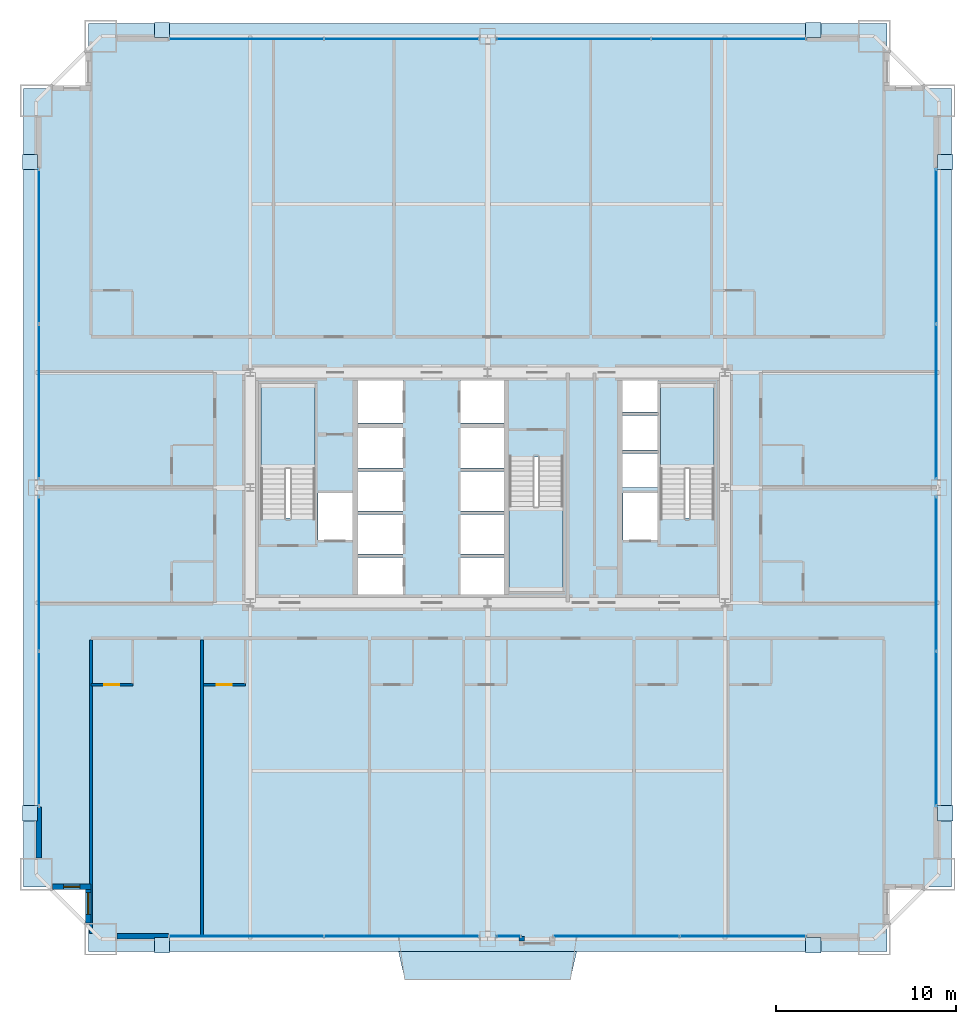
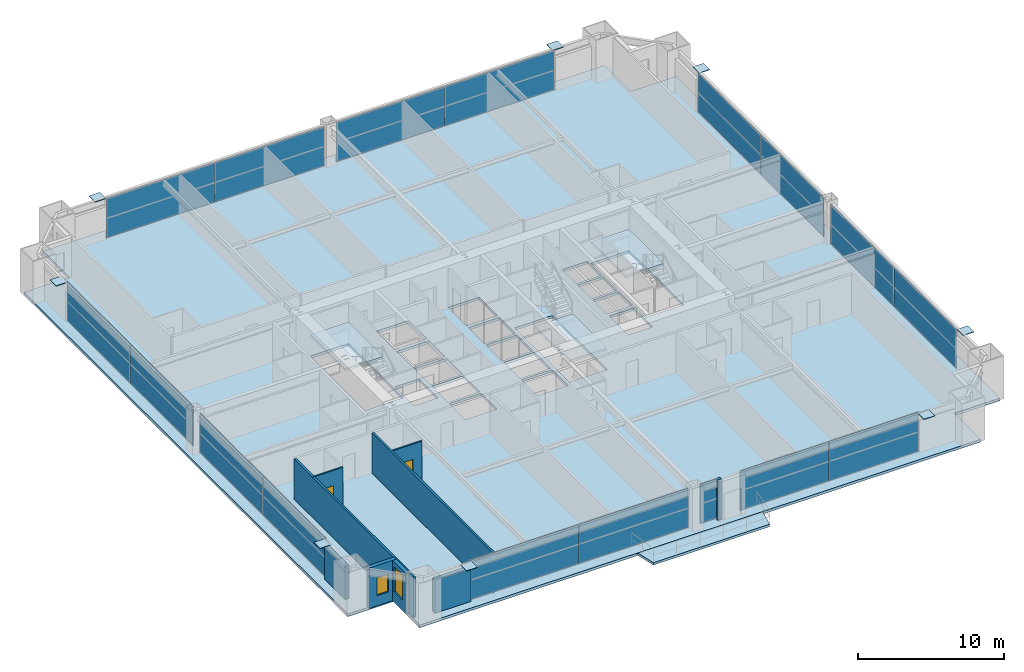
# One storey, part 38 of 43: 25 plates, 9 walls, 5 slabs, 2 doors, 2 windows, 4 openings, 12 elements without a shape of their own.
"""IFC4 building model written with IfcOpenShell, lengths in metres."""

from ifc_helpers import new_model, si_unit, direction, frame, frame_2d, origin, origin_2d, place, context, subcontext, project, spatial, polyline, rectangle, outline, extrude, source, transform, mapped, material, layer, layer_set, type_object, element, fill, aggregate, save


model = new_model("IFC4")

# Units and contexts
model_context = context("Model", 3, precision=1e-05, world=origin(), true_north=direction((0.0, 1.0)))
body_context = subcontext(model_context, "Body", "Model", "MODEL_VIEW")
ifc_project = project(units=[si_unit("LENGTHUNIT", "METRE"), si_unit("AREAUNIT", "SQUARE_METRE"), si_unit("VOLUMEUNIT", "CUBIC_METRE"), si_unit("PLANEANGLEUNIT", "RADIAN"), si_unit("MASSUNIT", "GRAM", prefix="KILO"), si_unit("THERMODYNAMICTEMPERATUREUNIT", "KELVIN"), si_unit("POWERUNIT", "WATT")], contexts=[model_context])

# Site, building, storey
site_placement = place(None, origin())
site = spatial("IfcSite", under=ifc_project, at=site_placement, CompositionType="ELEMENT")
building_placement = place(site_placement, origin())
building = spatial("IfcBuilding", under=site, at=building_placement, Name="Yuzanri Waterfront Tower", CompositionType="ELEMENT")
storey_placement = place(building_placement, frame((0.0, 0.0, 64.0)))
storey = spatial("IfcBuildingStorey", under=building, at=storey_placement, Name="L16", CompositionType="ELEMENT", Elevation=64.0)

# Slab
ifc_material_1 = material(Name="Concrete C40", Category="concrete")
ifc_layer_1 = layer(ifc_material_1, 0.199951171875)
ifc_layer_set_1 = layer_set([ifc_layer_1], Name="Concrete C40")
slab_type_1 = type_object("IfcSlabType", Name="Concrete C40 Cantilevered Engawa Wave Terrace Slab 200", PredefinedType="FLOOR", material=ifc_layer_set_1)
slab_1_placement = place(storey_placement, frame((0.0, 0.0, -0.199951171875)))
element("IfcSlab", 1, at=slab_1_placement, inside=storey, type_object=slab_type_1, Name="L16 S Cantilevered Engawa Terrace Slab", PredefinedType="FLOOR", context=body_context, shape_type="SweptSolid", body=[
    extrude(outline(polyline([(32.049072265625, 0.0), (41.950927734375, 0.0), (41.60107421875, -1.553955078125), (32.39892578125, -1.553955078125), (32.049072265625, 0.0)])), origin(), (0.0, 0.0, 1.0), 0.199951171875),
])

# Stair, slab
ifc_material_2 = material(Name="Concrete C40", Category="concrete")
stair_type = type_object("IfcStairType", Name="Concrete C40 Core Dogleg Exit Stair", PredefinedType="HALF_TURN_STAIR", material=ifc_material_2)
stair_1_placement = place(storey_placement, origin())
stair_1 = element("IfcStair", 2, at=stair_1_placement, inside=storey, type_object=stair_type, Name="L16 Smoke-Proof Core Stair ST-01", PredefinedType="HALF_TURN_STAIR")
ifc_material_3 = material(Name="Concrete C40", Category="concrete")
ifc_layer_2 = layer(ifc_material_3, 0.179931640625)
ifc_layer_set_2 = layer_set([ifc_layer_2], Name="Concrete C40")
slab_type_2 = type_object("IfcSlabType", Name="Concrete C40 Stair Half-Landing Slab 180", PredefinedType="LANDING", material=ifc_layer_set_2)
slab_2_placement = place(storey_placement, frame((0.0, 0.0, 1.60009765625)))
slab_2 = element("IfcSlab", 3, at=slab_2_placement, type_object=slab_type_2, Name="ST-01 landing 1", PredefinedType="LANDING", context=body_context, shape_type="SweptSolid", body=[
    extrude(outline(polyline([(27.39990234375, 26.840087890625), (27.39990234375, 31.580078125), (24.39990234375, 31.580078125), (24.39990234375, 26.840087890625), (27.39990234375, 26.840087890625)])), origin(), (0.0, 0.0, 1.0), 0.199951171875),
])
aggregate(stair_1, [slab_2])

stair_2_placement = place(storey_placement, origin())
stair_2 = element("IfcStair", 4, at=stair_2_placement, inside=storey, type_object=stair_type, Name="L16 Smoke-Proof Core Stair ST-02", PredefinedType="HALF_TURN_STAIR")
slab_3_placement = place(storey_placement, frame((0.0, 0.0, 1.60009765625)))
slab_3 = element("IfcSlab", 5, at=slab_3_placement, type_object=slab_type_2, Name="ST-02 landing 1", PredefinedType="LANDING", context=body_context, shape_type="SweptSolid", body=[
    extrude(outline(polyline([(49.60009765625, 26.840087890625), (49.60009765625, 31.580078125), (46.60009765625, 31.580078125), (46.60009765625, 26.840087890625), (49.60009765625, 26.840087890625)])), origin(), (0.0, 0.0, 1.0), 0.199951171875),
])
aggregate(stair_2, [slab_3])

stair_3_placement = place(storey_placement, origin())
stair_3 = element("IfcStair", 6, at=stair_3_placement, inside=storey, type_object=stair_type, Name="L16 Smoke-Proof Core Stair ST-03", PredefinedType="HALF_TURN_STAIR")
slab_4_placement = place(storey_placement, frame((0.0, 0.0, 1.60009765625)))
slab_4 = element("IfcSlab", 7, at=slab_4_placement, type_object=slab_type_2, Name="ST-03 landing 1", PredefinedType="LANDING", context=body_context, shape_type="SweptSolid", body=[
    extrude(outline(polyline([(38.199951171875, 24.760009765625), (38.199951171875, 20.02001953125), (41.199951171875, 20.02001953125), (41.199951171875, 24.760009765625), (38.199951171875, 24.760009765625)])), origin(), (0.0, 0.0, 1.0), 0.199951171875),
])
aggregate(stair_3, [slab_4])

# Slab
ifc_material_4 = material(Name="Concrete C40", Category="concrete")
ifc_layer_3 = layer(ifc_material_4, 0.219970703125)
ifc_layer_set_3 = layer_set([ifc_layer_3], Name="Concrete C40")
slab_type_3 = type_object("IfcSlabType", Name="Concrete C40 Tower Typical Structural Floor Slab 220", PredefinedType="FLOOR", material=ifc_layer_set_3)
slab_5_placement = place(storey_placement, frame((0.0, 0.0, -0.219970703125)))
element("IfcSlab", 8, at=slab_5_placement, inside=storey, type_object=slab_type_3, Name="L16 Main Structural Floor Slab", PredefinedType="FLOOR", context=body_context, shape_type="SweptSolid", body=[
    extrude(outline(polyline([(14.800048828125, 0.0), (59.199951171875, 0.0), (59.199951171875, 3.60009765625), (62.800048828125, 3.60009765625), (62.800048828125, 48.0), (59.199951171875, 48.0), (59.199951171875, 51.60009765625), (14.800048828125, 51.60009765625), (14.800048828125, 48.0), (11.199951171875, 48.0), (11.199951171875, 3.60009765625), (14.800048828125, 3.60009765625), (14.800048828125, 0.0)]), holes=[polyline([(27.39990234375, 24.10009765625), (27.39990234375, 31.580078125), (24.39990234375, 31.580078125), (24.39990234375, 24.10009765625), (27.39990234375, 24.10009765625)]), polyline([(49.60009765625, 24.10009765625), (49.60009765625, 31.580078125), (46.60009765625, 31.580078125), (46.60009765625, 24.10009765625), (49.60009765625, 24.10009765625)]), polyline([(38.199951171875, 27.5), (38.199951171875, 20.02001953125), (41.199951171875, 20.02001953125), (41.199951171875, 27.5), (38.199951171875, 27.5)]), polyline([(27.56005859375, 22.89990234375), (29.47998046875, 22.89990234375), (29.47998046875, 25.5), (27.56005859375, 25.5), (27.56005859375, 22.89990234375)]), polyline([(44.52001953125, 22.89990234375), (46.43994140625, 22.89990234375), (46.43994140625, 25.5), (44.52001953125, 25.5), (44.52001953125, 22.89990234375)]), polyline([(29.800048828125, 19.699951171875), (32.300048828125, 19.699951171875), (32.300048828125, 21.89990234375), (29.800048828125, 21.89990234375), (29.800048828125, 19.699951171875)]), polyline([(29.800048828125, 22.10009765625), (32.300048828125, 22.10009765625), (32.300048828125, 24.300048828125), (29.800048828125, 24.300048828125), (29.800048828125, 22.10009765625)]), polyline([(29.800048828125, 24.5), (32.300048828125, 24.5), (32.300048828125, 26.699951171875), (29.800048828125, 26.699951171875), (29.800048828125, 24.5)]), polyline([(29.800048828125, 26.89990234375), (32.300048828125, 26.89990234375), (32.300048828125, 29.10009765625), (29.800048828125, 29.10009765625), (29.800048828125, 26.89990234375)]), polyline([(29.800048828125, 29.39990234375), (32.300048828125, 29.39990234375), (32.300048828125, 31.89990234375), (29.800048828125, 31.89990234375), (29.800048828125, 29.39990234375)]), polyline([(35.5, 19.699951171875), (37.89990234375, 19.699951171875), (37.89990234375, 21.89990234375), (35.5, 21.89990234375), (35.5, 19.699951171875)]), polyline([(35.5, 22.10009765625), (37.89990234375, 22.10009765625), (37.89990234375, 24.300048828125), (35.5, 24.300048828125), (35.5, 22.10009765625)]), polyline([(35.5, 24.5), (37.89990234375, 24.5), (37.89990234375, 26.699951171875), (35.5, 26.699951171875), (35.5, 24.5)]), polyline([(35.5, 26.89990234375), (37.89990234375, 26.89990234375), (37.89990234375, 29.10009765625), (35.5, 29.10009765625), (35.5, 26.89990234375)]), polyline([(35.5, 29.39990234375), (37.89990234375, 29.39990234375), (37.89990234375, 31.89990234375), (35.5, 31.89990234375), (35.5, 29.39990234375)]), polyline([(44.5, 25.800048828125), (46.5, 25.800048828125), (46.5, 27.699951171875), (44.5, 27.699951171875), (44.5, 25.800048828125)]), polyline([(44.5, 27.89990234375), (46.5, 27.89990234375), (46.5, 29.800048828125), (44.5, 29.800048828125), (44.5, 27.89990234375)]), polyline([(44.5, 30.0), (46.5, 30.0), (46.5, 31.89990234375), (44.5, 31.89990234375), (44.5, 30.0)])]), origin(), (0.0, 0.0, 1.0), 0.219970703125),
])

# Plates
ifc_material_5 = material(Name="Steel Q420GJC", Category="steel")
ifc_layer_4 = layer(ifc_material_5, 0.0400390625)
ifc_layer_set_4 = layer_set([ifc_layer_4], Name="Steel Q420GJC")
plate_type_1 = type_object("IfcPlateType", Name="Steel Q420GJC Mega-Brace Gusset and End-Cap Plate 40", PredefinedType="SHEET", material=ifc_layer_set_4)
shared_shape_1 = source(origin(), body_context, "Body", "SweptSolid", [
    extrude(rectangle(XDim=0.85009765625, YDim=0.85009765625, at=origin_2d()), origin(), (0.0, 0.0, 1.0), 0.0400390625),
])
for number, where, z_axis, x_axis, name in (
    (9, (18.89990234375, 0.360107421875, 3.260009765625), (0.0, 0.0, 1.0), (1.0, 0.0, 0.0), "L16 Mega-Brace Apex Cap Plate S-L"),
    (10, (55.10009765625, 0.360107421875, 3.260009765625), (0.0, 0.0, 1.0), (1.0, 0.0, 0.0), "L16 Mega-Brace Apex Cap Plate S-R"),
    (11, (18.89990234375, 51.239990234375, 3.260009765625), (0.0, 0.0, 1.0), (1.0, 0.0, 0.0), "L16 Mega-Brace Apex Cap Plate N-L"),
    (12, (55.10009765625, 51.239990234375, 3.260009765625), (0.0, 0.0, 1.0), (1.0, 0.0, 0.0), "L16 Mega-Brace Apex Cap Plate N-R"),
    (13, (11.56005859375, 7.699951171875, 3.260009765625), (0.0, 0.0, 1.0), (1.0, 0.0, 0.0), "L16 Mega-Brace Apex Cap Plate W-L"),
    (14, (11.56005859375, 43.89990234375, 3.260009765625), (0.0, 0.0, 1.0), (1.0, 0.0, 0.0), "L16 Mega-Brace Apex Cap Plate W-R"),
    (15, (62.43994140625, 7.699951171875, 3.260009765625), (0.0, 0.0, 1.0), (1.0, 0.0, 0.0), "L16 Mega-Brace Apex Cap Plate E-L"),
    (16, (62.43994140625, 43.89990234375, 3.260009765625), (0.0, 0.0, 1.0), (1.0, 0.0, 0.0), "L16 Mega-Brace Apex Cap Plate E-R"),
):
    element("IfcPlate", number, at=place(storey_placement, frame(where, z_axis=z_axis, x_axis=x_axis)), inside=storey, type_object=plate_type_1, Name=name, PredefinedType="SHEET", context=body_context, shape_type="MappedRepresentation", body=[
        mapped(shared_shape_1, transform((0.0, 0.0, 0.0), scale=1.0)),
    ])

# Curtain wall, plates
ifc_material_6 = material(Name="Anodized Architectural Bronze", Category="metal")
ifc_layer_5 = layer(ifc_material_6, 0.159912109375)
ifc_layer_set_5 = layer_set([ifc_layer_5], Name="Anodized Architectural Bronze")
curtain_wall_type = type_object("IfcCurtainWallType", Name="Anodized Bronze Hotel Lower-Tier Recessed Unitized Curtain Wall 8100", PredefinedType="NOTDEFINED", material=ifc_layer_set_5)
curtain_wall_1_placement = place(storey_placement, origin())
curtain_wall_1 = element("IfcCurtainWall", 17, at=curtain_wall_1_placement, inside=storey, type_object=curtain_wall_type, Name="L16 Curtain Wall CW-L16-SL", PredefinedType="NOTDEFINED")
ifc_material_7 = material(Name="Double-Silver Low-E Insulated Glass", Category="glass")
ifc_layer_6 = layer(ifc_material_7, 0.035888671875)
ifc_layer_set_6 = layer_set([ifc_layer_6], Name="Double-Silver Low-E Insulated Glass")
plate_type_2 = type_object("IfcPlateType", Name="Double Silver Low-E Insulated Vision Glass Panel 36", PredefinedType="CURTAIN_PANEL", material=ifc_layer_set_6)
shared_shape_2 = source(origin(), body_context, "Body", "SweptSolid", [
    extrude(rectangle(XDim=8.570068359375, YDim=0.035888671875, at=origin_2d()), origin(), (0.0, 0.0, 1.0), 3.280029296875),
])
plate_1_placement = place(storey_placement, frame((23.574951171875, 0.85009765625, 0.0498046875), z_axis=(0.0, 0.0, 1.0), x_axis=(1.0, 0.0, 0.0)))
plate_1 = element("IfcPlate", 18, at=plate_1_placement, type_object=plate_type_2, Name="CW-L16-SL Vision Glass Panel 01", PredefinedType="CURTAIN_PANEL", context=body_context, shape_type="MappedRepresentation", body=[
    mapped(shared_shape_2, transform((0.0, 0.0, 0.0), scale=1.0)),
])
plate_2_placement = place(storey_placement, frame((32.22509765625, 0.85009765625, 0.0498046875), z_axis=(0.0, 0.0, 1.0), x_axis=(1.0, 0.0, 0.0)))
plate_2 = element("IfcPlate", 19, at=plate_2_placement, type_object=plate_type_2, Name="CW-L16-SL Vision Glass Panel 02", PredefinedType="CURTAIN_PANEL", context=body_context, shape_type="MappedRepresentation", body=[
    mapped(shared_shape_2, transform((0.0, 0.0, 0.0), scale=1.0)),
])
aggregate(curtain_wall_1, [plate_1, plate_2])

curtain_wall_2_placement = place(storey_placement, origin())
curtain_wall_2 = element("IfcCurtainWall", 20, at=curtain_wall_2_placement, inside=storey, type_object=curtain_wall_type, Name="L16 Curtain Wall CW-L16-NL", PredefinedType="NOTDEFINED")
plate_3_placement = place(storey_placement, frame((23.574951171875, 50.75, 0.0498046875), z_axis=(0.0, 0.0, 1.0), x_axis=(1.0, 0.0, 0.0)))
plate_3 = element("IfcPlate", 21, at=plate_3_placement, type_object=plate_type_2, Name="CW-L16-NL Vision Glass Panel 01", PredefinedType="CURTAIN_PANEL", context=body_context, shape_type="MappedRepresentation", body=[
    mapped(shared_shape_2, transform((0.0, 0.0, 0.0), scale=1.0)),
])
plate_4_placement = place(storey_placement, frame((32.22509765625, 50.75, 0.0498046875), z_axis=(0.0, 0.0, 1.0), x_axis=(1.0, 0.0, 0.0)))
plate_4 = element("IfcPlate", 22, at=plate_4_placement, type_object=plate_type_2, Name="CW-L16-NL Vision Glass Panel 02", PredefinedType="CURTAIN_PANEL", context=body_context, shape_type="MappedRepresentation", body=[
    mapped(shared_shape_2, transform((0.0, 0.0, 0.0), scale=1.0)),
])
aggregate(curtain_wall_2, [plate_3, plate_4])

curtain_wall_3_placement = place(storey_placement, origin())
curtain_wall_3 = element("IfcCurtainWall", 23, at=curtain_wall_3_placement, inside=storey, type_object=curtain_wall_type, Name="L16 Curtain Wall CW-L16-NR", PredefinedType="NOTDEFINED")
plate_5_placement = place(storey_placement, frame((41.77490234375, 50.75, 0.0498046875), z_axis=(0.0, 0.0, 1.0), x_axis=(1.0, 0.0, 0.0)))
plate_5 = element("IfcPlate", 24, at=plate_5_placement, type_object=plate_type_2, Name="CW-L16-NR Vision Glass Panel 01", PredefinedType="CURTAIN_PANEL", context=body_context, shape_type="MappedRepresentation", body=[
    mapped(shared_shape_2, transform((0.0, 0.0, 0.0), scale=1.0)),
])
plate_6_placement = place(storey_placement, frame((50.425048828125, 50.75, 0.0498046875), z_axis=(0.0, 0.0, 1.0), x_axis=(1.0, 0.0, 0.0)))
plate_6 = element("IfcPlate", 25, at=plate_6_placement, type_object=plate_type_2, Name="CW-L16-NR Vision Glass Panel 02", PredefinedType="CURTAIN_PANEL", context=body_context, shape_type="MappedRepresentation", body=[
    mapped(shared_shape_2, transform((0.0, 0.0, 0.0), scale=1.0)),
])
aggregate(curtain_wall_3, [plate_5, plate_6])

curtain_wall_4_placement = place(storey_placement, origin())
curtain_wall_4 = element("IfcCurtainWall", 26, at=curtain_wall_4_placement, inside=storey, type_object=curtain_wall_type, Name="L16 Curtain Wall CW-L16-WL", PredefinedType="NOTDEFINED")
plate_7_placement = place(storey_placement, frame((12.050048828125, 12.375, 0.0498046875), z_axis=(0.0, 0.0, 1.0), x_axis=(0.0, 1.0, 0.0)))
plate_7 = element("IfcPlate", 27, at=plate_7_placement, type_object=plate_type_2, Name="CW-L16-WL Vision Glass Panel 01", PredefinedType="CURTAIN_PANEL", context=body_context, shape_type="MappedRepresentation", body=[
    mapped(shared_shape_2, transform((0.0, 0.0, 0.0), scale=1.0)),
])
plate_8_placement = place(storey_placement, frame((12.050048828125, 21.02490234375, 0.0498046875), z_axis=(0.0, 0.0, 1.0), x_axis=(0.0, 1.0, 0.0)))
plate_8 = element("IfcPlate", 28, at=plate_8_placement, type_object=plate_type_2, Name="CW-L16-WL Vision Glass Panel 02", PredefinedType="CURTAIN_PANEL", context=body_context, shape_type="MappedRepresentation", body=[
    mapped(shared_shape_2, transform((0.0, 0.0, 0.0), scale=1.0)),
])
aggregate(curtain_wall_4, [plate_7, plate_8])

curtain_wall_5_placement = place(storey_placement, origin())
curtain_wall_5 = element("IfcCurtainWall", 29, at=curtain_wall_5_placement, inside=storey, type_object=curtain_wall_type, Name="L16 Curtain Wall CW-L16-WR", PredefinedType="NOTDEFINED")
plate_9_placement = place(storey_placement, frame((12.050048828125, 30.574951171875, 0.0498046875), z_axis=(0.0, 0.0, 1.0), x_axis=(0.0, 1.0, 0.0)))
plate_9 = element("IfcPlate", 30, at=plate_9_placement, type_object=plate_type_2, Name="CW-L16-WR Vision Glass Panel 01", PredefinedType="CURTAIN_PANEL", context=body_context, shape_type="MappedRepresentation", body=[
    mapped(shared_shape_2, transform((0.0, 0.0, 0.0), scale=1.0)),
])
plate_10_placement = place(storey_placement, frame((12.050048828125, 39.22509765625, 0.0498046875), z_axis=(0.0, 0.0, 1.0), x_axis=(0.0, 1.0, 0.0)))
plate_10 = element("IfcPlate", 31, at=plate_10_placement, type_object=plate_type_2, Name="CW-L16-WR Vision Glass Panel 02", PredefinedType="CURTAIN_PANEL", context=body_context, shape_type="MappedRepresentation", body=[
    mapped(shared_shape_2, transform((0.0, 0.0, 0.0), scale=1.0)),
])
aggregate(curtain_wall_5, [plate_9, plate_10])

curtain_wall_6_placement = place(storey_placement, origin())
curtain_wall_6 = element("IfcCurtainWall", 32, at=curtain_wall_6_placement, inside=storey, type_object=curtain_wall_type, Name="L16 Curtain Wall CW-L16-EL", PredefinedType="NOTDEFINED")
plate_11_placement = place(storey_placement, frame((61.949951171875, 12.375, 0.0498046875), z_axis=(0.0, 0.0, 1.0), x_axis=(0.0, 1.0, 0.0)))
plate_11 = element("IfcPlate", 33, at=plate_11_placement, type_object=plate_type_2, Name="CW-L16-EL Vision Glass Panel 01", PredefinedType="CURTAIN_PANEL", context=body_context, shape_type="MappedRepresentation", body=[
    mapped(shared_shape_2, transform((0.0, 0.0, 0.0), scale=1.0)),
])
plate_12_placement = place(storey_placement, frame((61.949951171875, 21.02490234375, 0.0498046875), z_axis=(0.0, 0.0, 1.0), x_axis=(0.0, 1.0, 0.0)))
plate_12 = element("IfcPlate", 34, at=plate_12_placement, type_object=plate_type_2, Name="CW-L16-EL Vision Glass Panel 02", PredefinedType="CURTAIN_PANEL", context=body_context, shape_type="MappedRepresentation", body=[
    mapped(shared_shape_2, transform((0.0, 0.0, 0.0), scale=1.0)),
])
aggregate(curtain_wall_6, [plate_11, plate_12])

curtain_wall_7_placement = place(storey_placement, origin())
curtain_wall_7 = element("IfcCurtainWall", 35, at=curtain_wall_7_placement, inside=storey, type_object=curtain_wall_type, Name="L16 Curtain Wall CW-L16-ER", PredefinedType="NOTDEFINED")
plate_13_placement = place(storey_placement, frame((61.949951171875, 30.574951171875, 0.0498046875), z_axis=(0.0, 0.0, 1.0), x_axis=(0.0, 1.0, 0.0)))
plate_13 = element("IfcPlate", 36, at=plate_13_placement, type_object=plate_type_2, Name="CW-L16-ER Vision Glass Panel 01", PredefinedType="CURTAIN_PANEL", context=body_context, shape_type="MappedRepresentation", body=[
    mapped(shared_shape_2, transform((0.0, 0.0, 0.0), scale=1.0)),
])
plate_14_placement = place(storey_placement, frame((61.949951171875, 39.22509765625, 0.0498046875), z_axis=(0.0, 0.0, 1.0), x_axis=(0.0, 1.0, 0.0)))
plate_14 = element("IfcPlate", 37, at=plate_14_placement, type_object=plate_type_2, Name="CW-L16-ER Vision Glass Panel 02", PredefinedType="CURTAIN_PANEL", context=body_context, shape_type="MappedRepresentation", body=[
    mapped(shared_shape_2, transform((0.0, 0.0, 0.0), scale=1.0)),
])
aggregate(curtain_wall_7, [plate_13, plate_14])

# Curtain wall, plate
curtain_wall_8_placement = place(storey_placement, origin())
curtain_wall_8 = element("IfcCurtainWall", 38, at=curtain_wall_8_placement, inside=storey, type_object=curtain_wall_type, Name="L16 Curtain Wall CW-L16-SR1", PredefinedType="NOTDEFINED")
shared_shape_3 = source(origin(), body_context, "Body", "SweptSolid", [
    extrude(rectangle(XDim=1.37109375, YDim=0.035888671875, at=origin_2d()), origin(), (0.0, 0.0, 1.0), 3.280029296875),
])
plate_15_placement = place(storey_placement, frame((38.175537109375, 0.85009765625, 0.0498046875), z_axis=(0.0, 0.0, 1.0), x_axis=(1.0, 0.0, 0.0)))
plate_15 = element("IfcPlate", 39, at=plate_15_placement, type_object=plate_type_2, Name="CW-L16-SR1 Vision Glass Panel 01", PredefinedType="CURTAIN_PANEL", context=body_context, shape_type="MappedRepresentation", body=[
    mapped(shared_shape_3, transform((0.0, 0.0, 0.0), scale=1.0)),
])
aggregate(curtain_wall_8, [plate_15])

# Curtain wall, plates
curtain_wall_9_placement = place(storey_placement, origin())
curtain_wall_9 = element("IfcCurtainWall", 40, at=curtain_wall_9_placement, inside=storey, type_object=curtain_wall_type, Name="L16 Curtain Wall CW-L16-SR2", PredefinedType="NOTDEFINED")
shared_shape_4 = source(origin(), body_context, "Body", "SweptSolid", [
    extrude(rectangle(XDim=6.994384765625, YDim=0.035888671875, at=origin_2d()), origin(), (0.0, 0.0, 1.0), 3.280029296875),
])
plate_16_placement = place(storey_placement, frame((44.13818359375, 0.85009765625, 0.0498046875), z_axis=(0.0, 0.0, 1.0), x_axis=(1.0, 0.0, 0.0)))
plate_16 = element("IfcPlate", 41, at=plate_16_placement, type_object=plate_type_2, Name="CW-L16-SR2 Vision Glass Panel 01", PredefinedType="CURTAIN_PANEL", context=body_context, shape_type="MappedRepresentation", body=[
    mapped(shared_shape_4, transform((0.0, 0.0, 0.0), scale=1.0)),
])
plate_17_placement = place(storey_placement, frame((51.212646484375, 0.85009765625, 0.0498046875), z_axis=(0.0, 0.0, 1.0), x_axis=(1.0, 0.0, 0.0)))
plate_17 = element("IfcPlate", 42, at=plate_17_placement, type_object=plate_type_2, Name="CW-L16-SR2 Vision Glass Panel 02", PredefinedType="CURTAIN_PANEL", context=body_context, shape_type="MappedRepresentation", body=[
    mapped(shared_shape_4, transform((0.0, 0.0, 0.0), scale=1.0)),
])
aggregate(curtain_wall_9, [plate_16, plate_17])

# Wall, opening, door
ifc_material_8 = material(Name="Moisture-Resistant Gypsum Stud Wall", Category="gypsum")
ifc_layer_7 = layer(ifc_material_8, 0.1201171875)
ifc_layer_set_7 = layer_set([ifc_layer_7], Name="Moisture-Resistant Gypsum Stud Wall")
wall_type_1 = type_object("IfcWallType", Name="Bathroom and Kitchen Wet Partition 120", PredefinedType="PARTITIONING", material=ifc_layer_set_7)
wall_1_placement = place(storey_placement, frame((14.93994140625, 14.840087890625, 0.0), z_axis=(0.0, 0.0, 1.0), x_axis=(1.0, 0.0, 0.0)))
wall_1 = element("IfcWall", 43, at=wall_1_placement, inside=storey, type_object=wall_type_1, Name="L16 Partition UW-L16-S1-BS", PredefinedType="PARTITIONING", context=body_context, shape_type="SweptSolid", body=[
    extrude(rectangle(XDim=2.330078125, YDim=0.1201171875, at=frame_2d((1.1650390625, 0.0))), origin(), (0.0, 0.0, 1.0), 3.3798828125),
])
opening_1_placement = place(wall_1_placement, frame((0.739990234375, 0.0, 0.0)))
opening_1 = element("IfcOpeningElement", 44, at=opening_1_placement, cuts=wall_1, Name="Opening ID-0850", PredefinedType="OPENING", context=body_context, shape_type="SweptSolid", body=[
    extrude(rectangle(XDim=0.85009765625, YDim=2.10009765625, at=frame_2d((0.425048828125, 1.050048828125))), frame((0.0, 0.074951171875, 0.0), z_axis=(0.0, -1.0, 0.0), x_axis=(1.0, 0.0, 0.0)), (0.0, 0.0, 1.0), 0.14990234375),
])
ifc_material_9 = material(Name="Moisture-Resistant Lacquered Timber", Category="wood")
door_type = type_object("IfcDoorType", Name="En-Suite Bathroom and Kitchen Swing Door 850x2100", OperationType="NOTDEFINED", PredefinedType="DOOR", material=ifc_material_9)
shared_shape_5 = source(origin(), body_context, "Body", "SweptSolid", [
    extrude(rectangle(XDim=0.85009765625, YDim=2.10009765625, at=frame_2d((0.425048828125, 1.050048828125))), frame((0.0, 0.02490234375, 0.0), z_axis=(0.0, -1.0, 0.0), x_axis=(1.0, 0.0, 0.0)), (0.0, 0.0, 1.0), 0.050048828125),
])
door_1_placement = place(opening_1_placement, origin())
door_1 = element("IfcDoor", 45, at=door_1_placement, inside=storey, type_object=door_type, Name="L16 Guest En-Suite Door", OperationType="SINGLE_SWING_RIGHT", OverallHeight=2.10009765625, OverallWidth=0.85009765625, PredefinedType="DOOR", context=body_context, shape_type="MappedRepresentation", body=[
    mapped(shared_shape_5, transform((0.0, 0.0, 0.0), scale=1.0)),
])
fill(opening_1, door_1)

wall_2_placement = place(storey_placement, frame((21.197021484375, 14.840087890625, 0.0), z_axis=(0.0, 0.0, 1.0), x_axis=(1.0, 0.0, 0.0)))
wall_2 = element("IfcWall", 46, at=wall_2_placement, inside=storey, type_object=wall_type_1, Name="L16 Partition UW-L16-S2-BS", PredefinedType="PARTITIONING", context=body_context, shape_type="SweptSolid", body=[
    extrude(rectangle(XDim=2.330078125, YDim=0.1201171875, at=frame_2d((1.1650390625, 0.0))), origin(), (0.0, 0.0, 1.0), 3.3798828125),
])
opening_2_placement = place(wall_2_placement, frame((0.739990234375, 0.0, 0.0)))
opening_2 = element("IfcOpeningElement", 47, at=opening_2_placement, cuts=wall_2, Name="Opening ID-0850", PredefinedType="OPENING", context=body_context, shape_type="SweptSolid", body=[
    extrude(rectangle(XDim=0.85009765625, YDim=2.10009765625, at=frame_2d((0.425048828125, 1.050048828125))), frame((0.0, 0.074951171875, 0.0), z_axis=(0.0, -1.0, 0.0), x_axis=(1.0, 0.0, 0.0)), (0.0, 0.0, 1.0), 0.14990234375),
])
door_2_placement = place(opening_2_placement, origin())
door_2 = element("IfcDoor", 48, at=door_2_placement, inside=storey, type_object=door_type, Name="L16 Guest En-Suite Door", OperationType="SINGLE_SWING_RIGHT", OverallHeight=2.10009765625, OverallWidth=0.85009765625, PredefinedType="DOOR", context=body_context, shape_type="MappedRepresentation", body=[
    mapped(shared_shape_5, transform((0.0, 0.0, 0.0), scale=1.0)),
])
fill(opening_2, door_2)

# Wall, opening, window
ifc_material_10 = material(Name="Honed Chongqing Dark Basalt Stone", Category="masonry")
ifc_layer_8 = layer(ifc_material_10, 0.300048828125)
ifc_layer_set_8 = layer_set([ifc_layer_8], Name="Honed Chongqing Dark Basalt Stone")
wall_type_2 = type_object("IfcWallType", Name="Bronze Rainscreen Insulated Spandrel Portal Wall 300", PredefinedType="SOLIDWALL", material=ifc_layer_set_8)
wall_3_placement = place(storey_placement, frame((12.800048828125, 3.60009765625, 0.0), z_axis=(0.0, 0.0, 1.0), x_axis=(1.0, 0.0, 0.0)))
wall_3 = element("IfcWall", 49, at=wall_3_placement, inside=storey, type_object=wall_type_2, Name="L16 Notched Corner Masonry Wall SW-X", PredefinedType="SOLIDWALL", context=body_context, shape_type="SweptSolid", body=[
    extrude(rectangle(XDim=2.14990234375, YDim=0.300048828125, at=frame_2d((1.074951171875, 0.0))), origin(), (0.0, 0.0, 1.0), 3.3798828125),
])
opening_3_placement = place(wall_3_placement, frame((0.625, 0.0, 0.85009765625)))
opening_3 = element("IfcOpeningElement", 50, at=opening_3_placement, cuts=wall_3, Name="Opening WN-05", PredefinedType="OPENING", context=body_context, shape_type="SweptSolid", body=[
    extrude(rectangle(XDim=0.89990234375, YDim=1.5, at=frame_2d((0.449951171875, 0.75))), frame((0.0, 0.1650390625, 0.0), z_axis=(0.0, -1.0, 0.0), x_axis=(1.0, 0.0, 0.0)), (0.0, 0.0, 1.0), 0.329833984375),
])
ifc_material_11 = material(Name="Double-Silver Low-E Insulated Glass", Category="glass")
window_type_1 = type_object("IfcWindowType", Name="Anodized Bronze Service and Stairwell Smoke-Vent Window 900x1500", PartitioningType="SINGLE_PANEL", PredefinedType="WINDOW", material=ifc_material_11)
shared_shape_6 = source(origin(), body_context, "Body", "SweptSolid", [
    extrude(rectangle(XDim=0.89990234375, YDim=1.5, at=frame_2d((0.449951171875, 0.75))), frame((0.0, 0.030029296875, 0.0), z_axis=(0.0, -1.0, 0.0), x_axis=(1.0, 0.0, 0.0)), (0.0, 0.0, 1.0), 0.06005859375),
])
window_1_placement = place(opening_3_placement, origin())
window_1 = element("IfcWindow", 51, at=window_1_placement, inside=storey, type_object=window_type_1, Name="L16 Notched Corner Window SW-X", OverallHeight=1.5, OverallWidth=0.89990234375, PartitioningType="SINGLE_PANEL", PredefinedType="WINDOW", context=body_context, shape_type="MappedRepresentation", body=[
    mapped(shared_shape_6, transform((0.0, 0.0, 0.0), scale=1.0)),
])
fill(opening_3, window_1)

wall_4_placement = place(storey_placement, frame((14.800048828125, 3.75, 0.0), z_axis=(0.0, 0.0, 1.0), x_axis=(0.0, -1.0, 0.0)))
wall_4 = element("IfcWall", 52, at=wall_4_placement, inside=storey, type_object=wall_type_2, Name="L16 Notched Corner Masonry Wall SW-Y", PredefinedType="SOLIDWALL", context=body_context, shape_type="SweptSolid", body=[
    extrude(rectangle(XDim=2.14990234375, YDim=0.300048828125, at=frame_2d((1.074951171875, 0.0))), origin(), (0.0, 0.0, 1.0), 3.3798828125),
])
opening_4_placement = place(wall_4_placement, frame((0.47509765625, 0.0, 0.85009765625)))
opening_4 = element("IfcOpeningElement", 53, at=opening_4_placement, cuts=wall_4, Name="Opening WN-02", PredefinedType="OPENING", context=body_context, shape_type="SweptSolid", body=[
    extrude(rectangle(XDim=1.199951171875, YDim=2.10009765625, at=frame_2d((0.60009765625, 1.050048828125))), frame((0.0, 0.1650390625, 0.0), z_axis=(0.0, -1.0, 0.0), x_axis=(1.0, 0.0, 0.0)), (0.0, 0.0, 1.0), 0.329833984375),
])
ifc_material_12 = material(Name="Double-Silver Low-E Insulated Glass", Category="glass")
window_type_2 = type_object("IfcWindowType", Name="Anodized Bronze Notched Corner Deep-Set Slot Window 1200x2100", PartitioningType="SINGLE_PANEL", PredefinedType="WINDOW", material=ifc_material_12)
shared_shape_7 = source(origin(), body_context, "Body", "SweptSolid", [
    extrude(rectangle(XDim=1.199951171875, YDim=2.10009765625, at=frame_2d((0.60009765625, 1.050048828125))), frame((0.0, 0.030029296875, 0.0), z_axis=(0.0, -1.0, 0.0), x_axis=(1.0, 0.0, 0.0)), (0.0, 0.0, 1.0), 0.06005859375),
])
window_2_placement = place(opening_4_placement, origin())
window_2 = element("IfcWindow", 54, at=window_2_placement, inside=storey, type_object=window_type_2, Name="L16 Notched Corner Window SW-Y", OverallHeight=2.10009765625, OverallWidth=1.199951171875, PartitioningType="SINGLE_PANEL", PredefinedType="WINDOW", context=body_context, shape_type="MappedRepresentation", body=[
    mapped(shared_shape_7, transform((0.0, 0.0, 0.0), scale=1.0)),
])
fill(opening_4, window_2)

# Walls
shared_shape_8 = source(origin(), body_context, "Body", "SweptSolid", [
    extrude(rectangle(XDim=2.85009765625, YDim=0.300048828125, at=frame_2d((1.425048828125, 0.0))), origin(), (0.0, 0.0, 1.0), 2.77490234375),
])
for number, where, z_axis, x_axis, name in (
    (55, (16.39990234375, 0.85009765625, 0.0), (0.0, 0.0, 1.0), (1.0, 0.0, 0.0), "L16 S Left Braced Masonry Shoulder"),
    (56, (12.050048828125, 5.199951171875, 0.0), (0.0, 0.0, 1.0), (0.0, 1.0, 0.0), "L16 W Left Braced Masonry Shoulder"),
):
    element("IfcWall", number, at=place(storey_placement, frame(where, z_axis=z_axis, x_axis=x_axis)), inside=storey, type_object=wall_type_2, Name=name, PredefinedType="SOLIDWALL", context=body_context, shape_type="MappedRepresentation", body=[
        mapped(shared_shape_8, transform((0.0, 0.0, 0.0), scale=1.0)),
    ])
shared_shape_9 = source(origin(), body_context, "Body", "SweptSolid", [
    extrude(rectangle(XDim=0.25, YDim=0.300048828125, at=frame_2d((0.125, 0.0))), origin(), (0.0, 0.0, 1.0), 3.3798828125),
])
wall_5_placement = place(storey_placement, frame((38.90087890625, 0.85009765625, 0.0), z_axis=(0.0, 0.0, 1.0), x_axis=(0.0, -1.0, 0.0)))
element("IfcWall", 57, at=wall_5_placement, inside=storey, type_object=wall_type_2, Name="L16 S Terrace Portal Left Return", PredefinedType="SOLIDWALL", context=body_context, shape_type="MappedRepresentation", body=[
    mapped(shared_shape_9, transform((0.0, 0.0, 0.0), scale=1.0)),
])
ifc_material_13 = material(Name="Gypsum Fireboard Acoustic Stud Wall", Category="gypsum")
ifc_layer_9 = layer(ifc_material_13, 0.159912109375)
ifc_layer_set_9 = layer_set([ifc_layer_9], Name="Gypsum Fireboard Acoustic Stud Wall")
wall_type_3 = type_object("IfcWallType", Name="Acoustic Suite Demising Partition 160", PredefinedType="PARTITIONING", material=ifc_layer_set_9)
shared_shape_10 = source(origin(), body_context, "Body", "SweptSolid", [
    extrude(rectangle(XDim=16.469970703125, YDim=0.159912109375, at=frame_2d((8.23486328125, 0.0))), origin(), (0.0, 0.0, 1.0), 3.3798828125),
])
wall_6_placement = place(storey_placement, frame((21.116943359375, 0.85009765625, 0.0), z_axis=(0.0, 0.0, 1.0), x_axis=(0.0, 1.0, 0.0)))
element("IfcWall", 58, at=wall_6_placement, inside=storey, type_object=wall_type_3, Name="L16-S1 Party Wall", PredefinedType="PARTITIONING", context=body_context, shape_type="MappedRepresentation", body=[
    mapped(shared_shape_10, transform((0.0, 0.0, 0.0), scale=1.0)),
])
shared_shape_11 = source(origin(), body_context, "Body", "SweptSolid", [
    extrude(rectangle(XDim=16.320068359375, YDim=0.159912109375, at=frame_2d((8.16015625, 0.0))), origin(), (0.0, 0.0, 1.0), 3.3798828125),
])
wall_7_placement = place(storey_placement, frame((14.949951171875, 1.0, 0.0), z_axis=(0.0, 0.0, 1.0), x_axis=(0.0, 1.0, 0.0)))
element("IfcWall", 59, at=wall_7_placement, inside=storey, type_object=wall_type_3, Name="L16 South Band West End Wall", PredefinedType="PARTITIONING", context=body_context, shape_type="MappedRepresentation", body=[
    mapped(shared_shape_11, transform((0.0, 0.0, 0.0), scale=1.0)),
])

save(model, "model.ifc")
